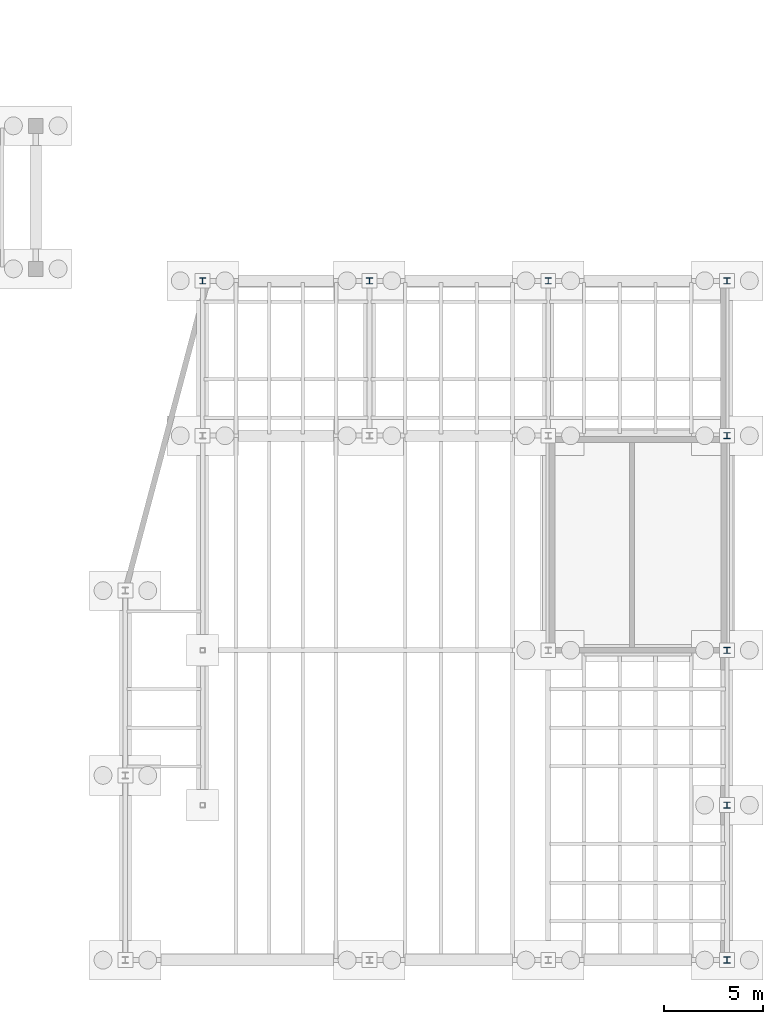
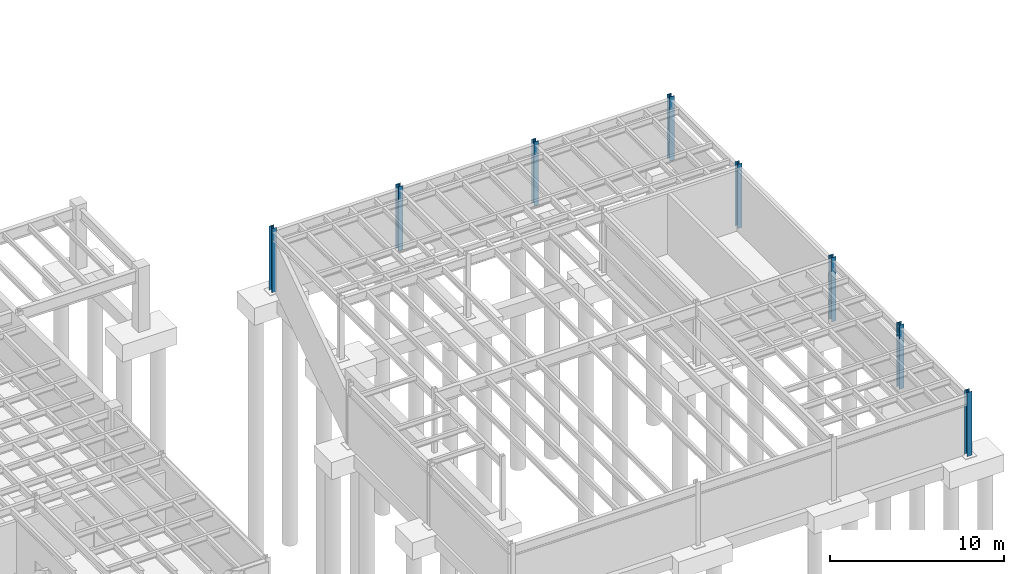
# One storey, part 22 of 41: 8 columns.
"""IFC4 building model written with IfcOpenShell, lengths in metres."""

from ifc_helpers import new_model, si_unit, direction, frame, origin, origin_2d, place, context, subcontext, project, spatial, i_section, extrude, material, material_profile, profile_set, type_object, element, save


model = new_model("IFC4")

# Units and contexts
model_context = context("Model", 3, precision=1e-05, world=origin(), true_north=direction((0.0, 1.0)))
body_context = subcontext(model_context, "Body", "Model", "MODEL_VIEW")
ifc_project = project(units=[si_unit("LENGTHUNIT", "METRE"), si_unit("AREAUNIT", "SQUARE_METRE"), si_unit("VOLUMEUNIT", "CUBIC_METRE"), si_unit("PLANEANGLEUNIT", "RADIAN"), si_unit("MASSUNIT", "GRAM", prefix="KILO")], contexts=[model_context])

# Site, building, storey
site_placement = place(None, origin())
site = spatial("IfcSite", under=ifc_project, at=site_placement, CompositionType="ELEMENT")
building_placement = place(site_placement, origin())
building = spatial("IfcBuilding", under=site, at=building_placement, Name="Selat Folded Stagehouse", CompositionType="ELEMENT")
storey_placement = place(building_placement, frame((0.0, 0.0, -4.5)))
storey = spatial("IfcBuildingStorey", under=building, at=storey_placement, Name="B1", CompositionType="ELEMENT", Elevation=-4.5)

# Columns
ifc_material = material(Name="Steel S355", Category="steel")
ifc_material_profile = material_profile(ifc_material, i_section(OverallWidth=0.30908203125, OverallDepth=0.320556640625, WebThickness=0.013916015625, FlangeThickness=0.021728515625, FilletRadius=0.01513671875, at=origin_2d()), Name="UKC 305x305x137")
ifc_profile_set = profile_set([ifc_material_profile], Name="Steel S355")
column_type = type_object("IfcColumnType", Name="COL-UKC-305x305x137", PredefinedType="COLUMN", material=ifc_profile_set)
for number, where, z_axis, x_axis, name in (
    (1, (134.39990234375, 34.199951171875, 0.0), (0.0, 0.0, 1.0), (1.0, 0.0, 0.0), "B1 column STK-V3-04"),
    (2, (142.800048828125, 34.199951171875, 0.0), (0.0, 0.0, 1.0), (1.0, 0.0, 0.0), "B1 column STK-V3-07"),
    (3, (151.800048828125, 34.199951171875, 0.0), (0.0, 0.0, 1.0), (1.0, 0.0, 0.0), "B1 column STK-V3-11"),
    (4, (160.800048828125, 0.0, 0.0), (0.0, 0.0, 1.0), (1.0, 0.0, 0.0), "B1 column STK-V3-12"),
    (5, (160.800048828125, 7.800048828125, 0.0), (0.0, 0.0, 1.0), (1.0, 0.0, 0.0), "B1 column STK-V3-13"),
    (6, (160.800048828125, 15.60009765625, 0.0), (0.0, 0.0, 1.0), (1.0, 0.0, 0.0), "B1 column STK-V3-14"),
    (7, (160.800048828125, 26.39990234375, 0.0), (0.0, 0.0, 1.0), (1.0, 0.0, 0.0), "B1 column STK-V3-15"),
    (8, (160.800048828125, 34.199951171875, 0.0), (0.0, 0.0, 1.0), (1.0, 0.0, 0.0), "B1 column STK-V3-16"),
):
    element("IfcColumn", number, at=place(storey_placement, frame(where, z_axis=z_axis, x_axis=x_axis)), inside=storey, type_object=column_type, Name=name, PredefinedType="COLUMN", context=body_context, shape_type="SweptSolid", body=[
        extrude(i_section(OverallWidth=0.30908203125, OverallDepth=0.320556640625, WebThickness=0.013916015625, FlangeThickness=0.021728515625, FilletRadius=0.01513671875, at=origin_2d()), origin(), (0.0, 0.0, 1.0), 4.5),
    ])

save(model, "model.ifc")
